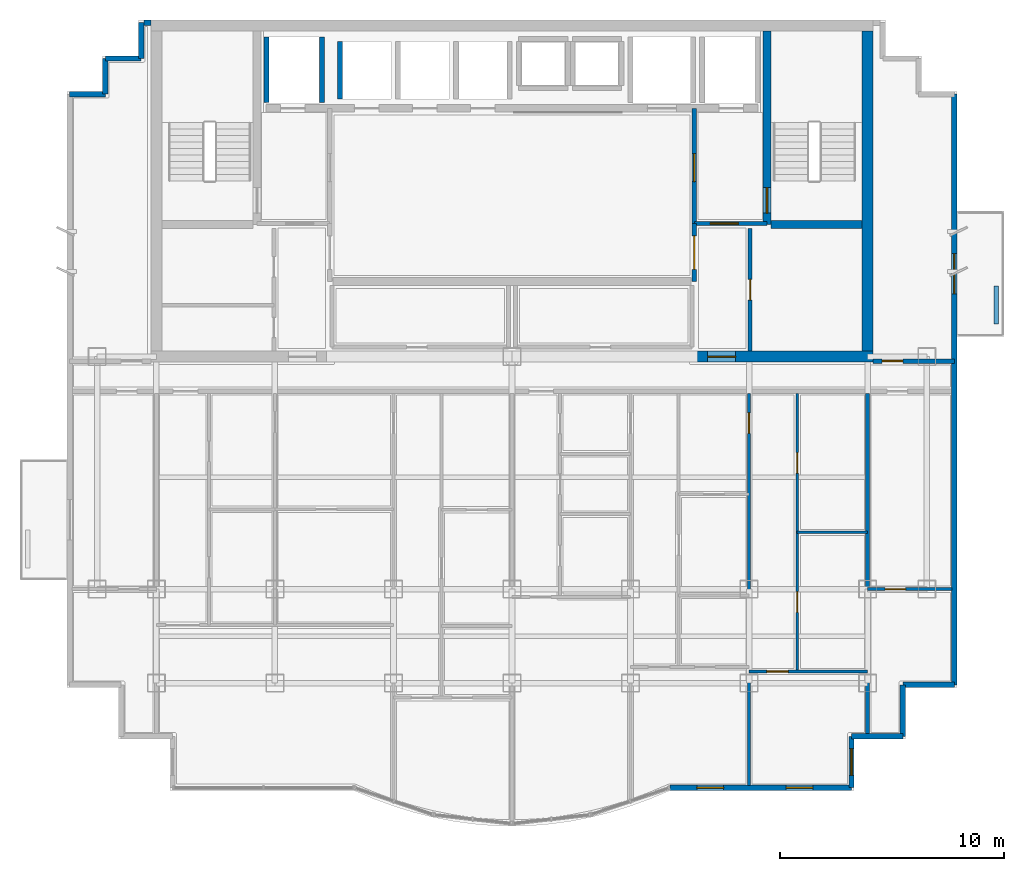
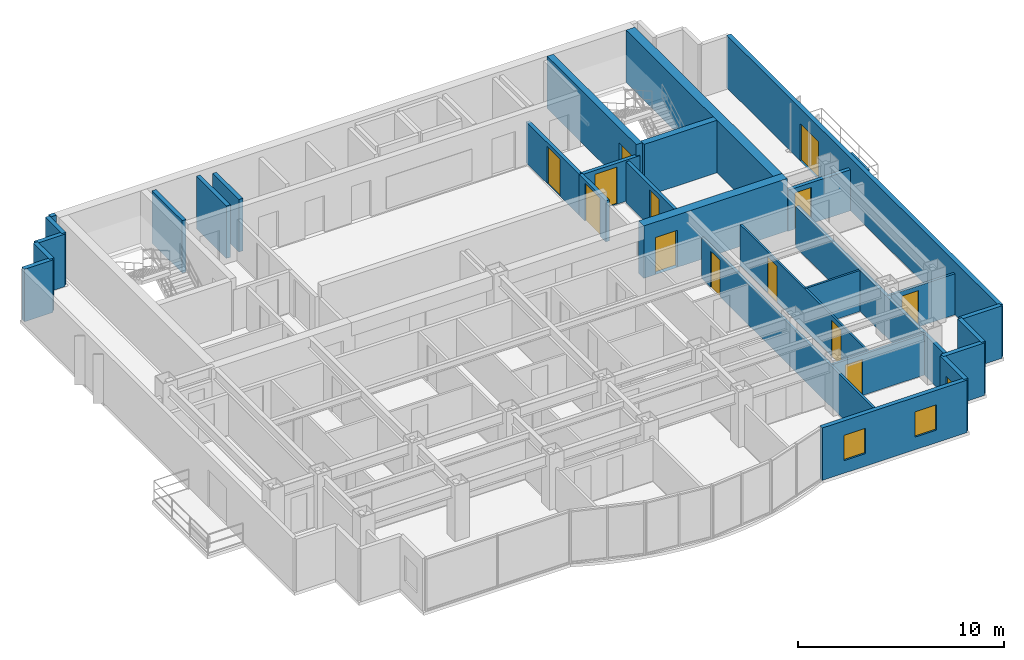
# One storey, part 6 of 9: 30 walls, 13 doors, 3 windows, 16 openings.
"""IFC4 building model written with IfcOpenShell, lengths in metres."""

from ifc_helpers import new_model, si_unit, direction, frame, frame_2d, origin, place, context, subcontext, project, spatial, rectangle, extrude, material, layer, layer_set, type_object, element, fill, save


model = new_model("IFC4")

# Units and contexts
model_context = context("Model", 3, precision=1e-05, world=origin(), true_north=direction((0.0, 1.0)))
body_context = subcontext(model_context, "Body", "Model", "MODEL_VIEW")
ifc_project = project(units=[si_unit("LENGTHUNIT", "METRE"), si_unit("AREAUNIT", "SQUARE_METRE"), si_unit("VOLUMEUNIT", "CUBIC_METRE"), si_unit("PLANEANGLEUNIT", "RADIAN"), si_unit("MASSUNIT", "GRAM", prefix="KILO")], contexts=[model_context])

# Site, building, storey
site_placement = place(None, origin())
site = spatial("IfcSite", under=ifc_project, at=site_placement, CompositionType="ELEMENT")
building_placement = place(site_placement, origin())
building = spatial("IfcBuilding", under=site, at=building_placement, Name="Qianlan Lanfeng Residences", CompositionType="ELEMENT")
storey_placement = place(building_placement, frame((0.0, 0.0, 209.89990234375)))
storey = spatial("IfcBuildingStorey", under=building, at=storey_placement, Name="L57", CompositionType="ELEMENT", Elevation=209.89990234375)

# Wall, opening, door
ifc_material_1 = material(Name="Concrete C49", Category="concrete")
ifc_layer_1 = layer(ifc_material_1, 0.35009765625)
ifc_layer_set_1 = layer_set([ifc_layer_1], Name="Concrete C49")
wall_type_1 = type_object("IfcWallType", Name="CW-RC-350", PredefinedType="SHEAR", material=ifc_layer_set_1)
wall_1_placement = place(storey_placement, frame((37.89990234375, 31.10009765625, 0.0), z_axis=(0.0, 0.0, 1.0), x_axis=(0.0, 1.0, 0.0)))
wall_1 = element("IfcWall", 1, at=wall_1_placement, inside=storey, type_object=wall_type_1, Name="L57 Core Shear Wall ST2W", PredefinedType="SHEAR", context=body_context, shape_type="SweptSolid", body=[
    extrude(rectangle(XDim=8.64990234375, YDim=0.35009765625, at=frame_2d((4.324951171875, 0.0))), origin(), (0.0, 0.0, 1.0), 3.110107421875),
])
opening_1_placement = place(wall_1_placement, frame((0.510009765625, 0.0, 0.0)))
opening_1 = element("IfcOpeningElement", 2, at=opening_1_placement, cuts=wall_1, Name="Opening L57-D08", PredefinedType="OPENING", context=body_context, shape_type="SweptSolid", body=[
    extrude(rectangle(XDim=1.14990234375, YDim=2.199951171875, at=frame_2d((0.574951171875, 1.10009765625))), frame((0.0, 0.18505859375, 0.0), z_axis=(0.0, -1.0, 0.0), x_axis=(1.0, 0.0, 0.0)), (0.0, 0.0, 1.0), 0.3701171875),
])
ifc_material_2 = material(Name="Painted Galvanised Steel Fire Door", Category="steel")
door_type_1 = type_object("IfcDoorType", Name="DT-ST1", OperationType="NOTDEFINED", PredefinedType="DOOR", material=ifc_material_2)
door_1_placement = place(opening_1_placement, origin())
door_1 = element("IfcDoor", 3, at=door_1_placement, inside=storey, type_object=door_type_1, Name="L57 Exit Stair ST-2 Door L57-D08 (DT-ST1)", OperationType="SINGLE_SWING_RIGHT", OverallHeight=2.199951171875, OverallWidth=1.14990234375, PredefinedType="DOOR", context=body_context, shape_type="SweptSolid", body=[
    extrude(rectangle(XDim=1.14990234375, YDim=2.199951171875, at=frame_2d((0.574951171875, 1.10009765625))), frame((0.0, 0.02490234375, 0.0), z_axis=(0.0, -1.0, 0.0), x_axis=(1.0, 0.0, 0.0)), (0.0, 0.0, 1.0), 0.050048828125),
])
fill(opening_1, door_1)

# Walls
wall_2_placement = place(storey_placement, frame((38.074951171875, 31.10009765625, 0.0), z_axis=(0.0, 0.0, 1.0), x_axis=(1.0, 0.0, 0.0)))
element("IfcWall", 4, at=wall_2_placement, inside=storey, type_object=wall_type_1, Name="L57 Core Shear Wall ST2S", PredefinedType="SHEAR", context=body_context, shape_type="SweptSolid", body=[
    extrude(rectangle(XDim=4.074951171875, YDim=0.35009765625, at=frame_2d((2.03759765625, 0.0))), origin(), (0.0, 0.0, 1.0), 3.110107421875),
])
ifc_material_3 = material(Name="Concrete C70", Category="concrete")
ifc_layer_2 = layer(ifc_material_3, 0.5)
ifc_layer_set_2 = layer_set([ifc_layer_2], Name="Concrete C70")
wall_type_2 = type_object("IfcWallType", Name="CW-RC-500", PredefinedType="SHEAR", material=ifc_layer_set_2)
wall_3_placement = place(storey_placement, frame((42.39990234375, 25.449951171875, 0.0), z_axis=(0.0, 0.0, 1.0), x_axis=(0.0, 1.0, 0.0)))
element("IfcWall", 5, at=wall_3_placement, inside=storey, type_object=wall_type_2, Name="L57 Core Shear Wall E", PredefinedType="SHEAR", context=body_context, shape_type="SweptSolid", body=[
    extrude(rectangle(XDim=14.300048828125, YDim=0.5, at=frame_2d((7.14990234375, 0.0))), origin(), (0.0, 0.0, 1.0), 3.110107421875),
])

# Wall, opening, door
wall_4_placement = place(storey_placement, frame((34.60009765625, 25.199951171875, 0.0), z_axis=(0.0, 0.0, 1.0), x_axis=(1.0, 0.0, 0.0)))
wall_4 = element("IfcWall", 6, at=wall_4_placement, inside=storey, type_object=wall_type_2, Name="L57 Core Shear Wall SE", PredefinedType="SHEAR", context=body_context, shape_type="SweptSolid", body=[
    extrude(rectangle(XDim=8.0498046875, YDim=0.5, at=frame_2d((4.02490234375, 0.0))), origin(), (0.0, 0.0, 1.0), 3.110107421875),
])
opening_2_placement = place(wall_4_placement, frame((0.64990234375, 0.0, 0.0)))
opening_2 = element("IfcOpeningElement", 7, at=opening_2_placement, cuts=wall_4, Name="Opening L57-D02", PredefinedType="OPENING", context=body_context, shape_type="SweptSolid", body=[
    extrude(rectangle(XDim=1.25, YDim=2.199951171875, at=frame_2d((0.625, 1.10009765625))), frame((0.0, 0.260009765625, 0.0), z_axis=(0.0, -1.0, 0.0), x_axis=(1.0, 0.0, 0.0)), (0.0, 0.0, 1.0), 0.52001953125),
])
door_type_2 = type_object("IfcDoorType", Name="DT-FFL", OperationType="NOTDEFINED", PredefinedType="DOOR", material=ifc_material_2)
door_2_placement = place(opening_2_placement, frame((1.25, 0.0, 0.0), z_axis=(0.0, 0.0, 1.0), x_axis=(-1.0, 0.0, 0.0)))
door_2 = element("IfcDoor", 8, at=door_2_placement, inside=storey, type_object=door_type_2, Name="L57 East Core Lobby Smoke Door L57-D02 (DT-FFL)", OperationType="SINGLE_SWING_LEFT", OverallHeight=2.199951171875, OverallWidth=1.25, PredefinedType="DOOR", context=body_context, shape_type="SweptSolid", body=[
    extrude(rectangle(XDim=1.25, YDim=2.199951171875, at=frame_2d((0.625, 1.10009765625))), frame((0.0, 0.02490234375, 0.0), z_axis=(0.0, -1.0, 0.0), x_axis=(1.0, 0.0, 0.0)), (0.0, 0.0, 1.0), 0.050048828125),
])
fill(opening_2, door_2)

# Wall, openings, windows
ifc_material_4 = material(Name="Concrete C42", Category="concrete")
ifc_layer_3 = layer(ifc_material_4, 0.239990234375)
ifc_layer_set_3 = layer_set([ifc_layer_3], Name="Concrete C42")
wall_type_3 = type_object("IfcWallType", Name="EW-240", PredefinedType="SOLIDWALL", material=ifc_layer_set_3)
wall_5_placement = place(storey_placement, frame((33.555908203125, 5.919921875, 0.0), z_axis=(0.0, 0.0, 1.0), x_axis=(1.0, 0.0, 0.0)))
wall_5 = element("IfcWall", 9, at=wall_5_placement, inside=storey, type_object=wall_type_3, Name="L57 Exterior Facade Spandrel Wall 5", PredefinedType="SOLIDWALL", context=body_context, shape_type="SweptSolid", body=[
    extrude(rectangle(XDim=8.1240234375, YDim=0.239990234375, at=frame_2d((4.06201171875, 0.0))), origin(), (0.0, 0.0, 1.0), 3.110107421875),
])
opening_3_placement = place(wall_5_placement, frame((5.197998046875, 0.0, 0.75)))
opening_3 = element("IfcOpeningElement", 10, at=opening_3_placement, cuts=wall_5, Name="Opening W-03", PredefinedType="OPENING", context=body_context, shape_type="SweptSolid", body=[
    extrude(rectangle(XDim=1.199951171875, YDim=1.5, at=frame_2d((0.60009765625, 0.75))), frame((0.0, 0.1298828125, 0.0), z_axis=(0.0, -1.0, 0.0), x_axis=(1.0, 0.0, 0.0)), (0.0, 0.0, 1.0), 0.260009765625),
])
opening_4_placement = place(wall_5_placement, frame((1.2080078125, 0.0, 0.75)))
opening_4 = element("IfcOpeningElement", 11, at=opening_4_placement, cuts=wall_5, Name="Opening W-03", PredefinedType="OPENING", context=body_context, shape_type="SweptSolid", body=[
    extrude(rectangle(XDim=1.199951171875, YDim=1.5, at=frame_2d((0.60009765625, 0.75))), frame((0.0, 0.1298828125, 0.0), z_axis=(0.0, -1.0, 0.0), x_axis=(1.0, 0.0, 0.0)), (0.0, 0.0, 1.0), 0.260009765625),
])
ifc_material_5 = material(Name="Anodised Bronze Aluminium Framed Double Glazing", Category="aluminium")
window_type = type_object("IfcWindowType", Name="W-03", PartitioningType="SINGLE_PANEL", PredefinedType="WINDOW", material=ifc_material_5)
window_1_placement = place(opening_3_placement, origin())
window_1 = element("IfcWindow", 12, at=window_1_placement, inside=storey, type_object=window_type, Name="L57 Facade Punched Window W-03", OverallHeight=1.5, OverallWidth=1.199951171875, PartitioningType="SINGLE_PANEL", PredefinedType="WINDOW", context=body_context, shape_type="SweptSolid", body=[
    extrude(rectangle(XDim=1.199951171875, YDim=1.5, at=frame_2d((0.60009765625, 0.75))), frame((0.0, 0.030029296875, 0.0), z_axis=(0.0, -1.0, 0.0), x_axis=(1.0, 0.0, 0.0)), (0.0, 0.0, 1.0), 0.06005859375),
])
fill(opening_3, window_1)
window_2_placement = place(opening_4_placement, origin())
window_2 = element("IfcWindow", 13, at=window_2_placement, inside=storey, type_object=window_type, Name="L57 Facade Bay Window W-03", OverallHeight=1.5, OverallWidth=1.199951171875, PartitioningType="SINGLE_PANEL", PredefinedType="WINDOW", context=body_context, shape_type="SweptSolid", body=[
    extrude(rectangle(XDim=1.199951171875, YDim=1.5, at=frame_2d((0.60009765625, 0.75))), frame((0.0, 0.030029296875, 0.0), z_axis=(0.0, -1.0, 0.0), x_axis=(1.0, 0.0, 0.0)), (0.0, 0.0, 1.0), 0.06005859375),
])
fill(opening_4, window_2)

# Wall, opening, window
wall_6_placement = place(storey_placement, frame((41.679931640625, 5.919921875, 0.0), z_axis=(0.0, 0.0, 1.0), x_axis=(0.0, 1.0, 0.0)))
wall_6 = element("IfcWall", 14, at=wall_6_placement, inside=storey, type_object=wall_type_3, Name="L57 Exterior Facade Spandrel Wall 6", PredefinedType="SOLIDWALL", context=body_context, shape_type="SweptSolid", body=[
    extrude(rectangle(XDim=2.300048828125, YDim=0.239990234375, at=frame_2d((1.14990234375, 0.0))), origin(), (0.0, 0.0, 1.0), 3.110107421875),
])
opening_5_placement = place(wall_6_placement, frame((0.550048828125, 0.0, 0.75)))
opening_5 = element("IfcOpeningElement", 15, at=opening_5_placement, cuts=wall_6, Name="Opening W-03", PredefinedType="OPENING", context=body_context, shape_type="SweptSolid", body=[
    extrude(rectangle(XDim=1.199951171875, YDim=1.5, at=frame_2d((0.60009765625, 0.75))), frame((0.0, 0.1298828125, 0.0), z_axis=(0.0, -1.0, 0.0), x_axis=(1.0, 0.0, 0.0)), (0.0, 0.0, 1.0), 0.260009765625),
])
window_3_placement = place(opening_5_placement, origin())
window_3 = element("IfcWindow", 16, at=window_3_placement, inside=storey, type_object=window_type, Name="L57 Facade Punched Window W-03", OverallHeight=1.5, OverallWidth=1.199951171875, PartitioningType="SINGLE_PANEL", PredefinedType="WINDOW", context=body_context, shape_type="SweptSolid", body=[
    extrude(rectangle(XDim=1.199951171875, YDim=1.5, at=frame_2d((0.60009765625, 0.75))), frame((0.0, 0.030029296875, 0.0), z_axis=(0.0, -1.0, 0.0), x_axis=(1.0, 0.0, 0.0)), (0.0, 0.0, 1.0), 0.06005859375),
])
fill(opening_5, window_3)

# Walls
for number, where, z_axis, x_axis, name in (
    (17, (41.679931640625, 8.219970703125, 0.0), (0.0, 0.0, 1.0), (1.0, 0.0, 0.0), "L57 Exterior Facade Spandrel Wall 7"),
    (18, (43.97998046875, 8.219970703125, 0.0), (0.0, 0.0, 1.0), (0.0, 1.0, 0.0), "L57 Exterior Facade Spandrel Wall 8"),
    (19, (43.97998046875, 10.52001953125, 0.0), (0.0, 0.0, 1.0), (1.0, 0.0, 0.0), "L57 Exterior Facade Spandrel Wall 9"),
):
    element("IfcWall", number, at=place(storey_placement, frame(where, z_axis=z_axis, x_axis=x_axis)), inside=storey, type_object=wall_type_3, Name=name, PredefinedType="SOLIDWALL", context=body_context, shape_type="SweptSolid", body=[
        extrude(rectangle(XDim=2.300048828125, YDim=0.239990234375, at=frame_2d((1.14990234375, 0.0))), origin(), (0.0, 0.0, 1.0), 3.110107421875),
    ])

# Wall, opening, door
wall_7_placement = place(storey_placement, frame((46.280029296875, 10.52001953125, 0.0), z_axis=(0.0, 0.0, 1.0), x_axis=(0.0, 1.0, 0.0)))
wall_7 = element("IfcWall", 20, at=wall_7_placement, inside=storey, type_object=wall_type_3, Name="L57 Terrace/Balcony Access Exterior Wall 10", PredefinedType="SOLIDWALL", context=body_context, shape_type="SweptSolid", body=[
    extrude(rectangle(XDim=26.409912109375, YDim=0.239990234375, at=frame_2d((13.205078125, 0.0))), origin(), (0.0, 0.0, 1.0), 3.110107421875),
])
opening_6_placement = place(wall_7_placement, frame((17.47998046875, 0.0, 0.0)))
opening_6 = element("IfcOpeningElement", 21, at=opening_6_placement, cuts=wall_7, Name="Opening L57-D-EB-N", PredefinedType="OPENING", context=body_context, shape_type="SweptSolid", body=[
    extrude(rectangle(XDim=1.800048828125, YDim=2.199951171875, at=frame_2d((0.89990234375, 1.10009765625))), frame((0.0, 0.1298828125, 0.0), z_axis=(0.0, -1.0, 0.0), x_axis=(1.0, 0.0, 0.0)), (0.0, 0.0, 1.0), 0.260009765625),
])
ifc_material_6 = material(Name="Anodised Bronze Aluminium Framed Glass", Category="aluminium")
door_type_3 = type_object("IfcDoorType", Name="DT-BAL1", OperationType="NOTDEFINED", PredefinedType="DOOR", material=ifc_material_6)
door_3_placement = place(opening_6_placement, frame((1.800048828125, 0.0, 0.0), z_axis=(0.0, 0.0, 1.0), x_axis=(-1.0, 0.0, 0.0)))
door_3 = element("IfcDoor", 22, at=door_3_placement, inside=storey, type_object=door_type_3, Name="L57 Exterior Access Door EB-N", OperationType="DOUBLE_DOOR_SLIDING", OverallHeight=2.199951171875, OverallWidth=1.800048828125, PredefinedType="DOOR", context=body_context, shape_type="SweptSolid", body=[
    extrude(rectangle(XDim=1.800048828125, YDim=2.199951171875, at=frame_2d((0.89990234375, 1.10009765625))), frame((0.0, 0.02490234375, 0.0), z_axis=(0.0, -1.0, 0.0), x_axis=(1.0, 0.0, 0.0)), (0.0, 0.0, 1.0), 0.050048828125),
])
fill(opening_6, door_3)

# Walls
wall_8_placement = place(storey_placement, frame((10.35009765625, 40.1298828125, 0.0), z_axis=(0.0, 0.0, 1.0), x_axis=(-1.0, 0.0, 0.0)))
element("IfcWall", 23, at=wall_8_placement, inside=storey, type_object=wall_type_3, Name="L57 North Wing Exterior Wall W", PredefinedType="SOLIDWALL", context=body_context, shape_type="SweptSolid", body=[
    extrude(rectangle(XDim=0.300048828125, YDim=0.239990234375, at=frame_2d((0.14990234375, 0.0))), origin(), (0.0, 0.0, 1.0), 3.110107421875),
])
for number, where, z_axis, x_axis, name in (
    (24, (9.919921875, 40.1298828125, 0.0), (0.0, 0.0, 1.0), (0.0, -1.0, 0.0), "L57 Exterior Facade Spandrel Wall 17"),
    (25, (9.919921875, 38.530029296875, 0.0), (0.0, 0.0, 1.0), (-1.0, 0.0, 0.0), "L57 Exterior Facade Spandrel Wall 18"),
):
    element("IfcWall", number, at=place(storey_placement, frame(where, z_axis=z_axis, x_axis=x_axis)), inside=storey, type_object=wall_type_3, Name=name, PredefinedType="SOLIDWALL", context=body_context, shape_type="SweptSolid", body=[
        extrude(rectangle(XDim=1.599853515625, YDim=0.239990234375, at=frame_2d((0.7998046875, 0.0))), origin(), (0.0, 0.0, 1.0), 3.110107421875),
    ])
for number, where, z_axis, x_axis, name in (
    (26, (8.320068359375, 38.530029296875, 0.0), (0.0, 0.0, 1.0), (0.0, -1.0, 0.0), "L57 Exterior Facade Spandrel Wall 19"),
    (27, (8.320068359375, 36.929931640625, 0.0), (0.0, 0.0, 1.0), (-1.0, 0.0, 0.0), "L57 Exterior Facade Spandrel Wall 20"),
):
    element("IfcWall", number, at=place(storey_placement, frame(where, z_axis=z_axis, x_axis=x_axis)), inside=storey, type_object=wall_type_3, Name=name, PredefinedType="SOLIDWALL", context=body_context, shape_type="SweptSolid", body=[
        extrude(rectangle(XDim=1.60009765625, YDim=0.239990234375, at=frame_2d((0.800048828125, 0.0))), origin(), (0.0, 0.0, 1.0), 3.110107421875),
    ])
ifc_layer_4 = layer(ifc_material_4, 0.199951171875)
ifc_layer_set_4 = layer_set([ifc_layer_4], Name="Concrete C42")
wall_type_4 = type_object("IfcWallType", Name="PL-TREE-200", PredefinedType="PARAPET", material=ifc_layer_set_4)
wall_9_placement = place(storey_placement, frame((48.14990234375, 26.64990234375, 0.0), z_axis=(0.0, 0.0, 1.0), x_axis=(0.0, 1.0, 0.0)))
element("IfcWall", 28, at=wall_9_placement, inside=storey, type_object=wall_type_4, Name="L57 East Tree Planter Curb EB-N", PredefinedType="PARAPET", context=body_context, shape_type="SweptSolid", body=[
    extrude(rectangle(XDim=1.7001953125, YDim=0.199951171875, at=frame_2d((0.85009765625, 0.0))), origin(), (0.0, 0.0, 1.0), 0.650146484375),
])

# Wall, openings, doors
ifc_material_7 = material(Name="Demountable Acoustic Framing Partition 110 mm")
ifc_layer_5 = layer(ifc_material_7, 0.110107421875)
ifc_layer_set_5 = layer_set([ifc_layer_5], Name="Demountable Acoustic Framing Partition 110 mm")
wall_type_5 = type_object("IfcWallType", Name="PW-110", PredefinedType="MOVABLE", material=ifc_layer_set_5)
wall_10_placement = place(storey_placement, frame((39.25, 11.1201171875, 0.0), z_axis=(0.0, 0.0, 1.0), x_axis=(0.0, 1.0, 0.0)))
wall_10 = element("IfcWall", 29, at=wall_10_placement, inside=storey, type_object=wall_type_5, Name="L57 U02 Bedroom 2 Hall Wall", PredefinedType="MOVABLE", context=body_context, shape_type="SweptSolid", body=[
    extrude(rectangle(XDim=12.429931640625, YDim=0.110107421875, at=frame_2d((6.21484375, 0.0))), origin(), (0.0, 0.0, 1.0), 2.43017578125),
])
opening_7_placement = place(wall_10_placement, frame((2.64697265625, 0.0, 0.0)))
opening_7 = element("IfcOpeningElement", 30, at=opening_7_placement, cuts=wall_10, Name="Opening L57-D39", PredefinedType="OPENING", context=body_context, shape_type="SweptSolid", body=[
    extrude(rectangle(XDim=0.919921875, YDim=2.14990234375, at=frame_2d((0.4599609375, 1.074951171875))), frame((0.0, 0.06494140625, 0.0), z_axis=(0.0, -1.0, 0.0), x_axis=(1.0, 0.0, 0.0)), (0.0, 0.0, 1.0), 0.130126953125),
])
opening_8_placement = place(wall_10_placement, frame((8.863037109375, 0.0, 0.0)))
opening_8 = element("IfcOpeningElement", 31, at=opening_8_placement, cuts=wall_10, Name="Opening L57-D40", PredefinedType="OPENING", context=body_context, shape_type="SweptSolid", body=[
    extrude(rectangle(XDim=0.919921875, YDim=2.14990234375, at=frame_2d((0.4599609375, 1.074951171875))), frame((0.0, 0.06494140625, 0.0), z_axis=(0.0, -1.0, 0.0), x_axis=(1.0, 0.0, 0.0)), (0.0, 0.0, 1.0), 0.130126953125),
])
ifc_material_8 = material(Name="Glazed Timber Kitchen/Study Door", Category="wood")
door_type_4 = type_object("IfcDoorType", Name="DT-INT", OperationType="NOTDEFINED", PredefinedType="DOOR", material=ifc_material_8)
door_4_placement = place(opening_7_placement, origin())
door_4 = element("IfcDoor", 32, at=door_4_placement, inside=storey, type_object=door_type_4, Name="L57 U02 Utility Door L57-D39 (DT-INT)", OperationType="SINGLE_SWING_LEFT", OverallHeight=2.14990234375, OverallWidth=0.919921875, PredefinedType="DOOR", context=body_context, shape_type="SweptSolid", body=[
    extrude(rectangle(XDim=0.919921875, YDim=2.14990234375, at=frame_2d((0.4599609375, 1.074951171875))), frame((0.0, 0.02490234375, 0.0), z_axis=(0.0, -1.0, 0.0), x_axis=(1.0, 0.0, 0.0)), (0.0, 0.0, 1.0), 0.050048828125),
])
fill(opening_7, door_4)
door_5_placement = place(opening_8_placement, origin())
door_5 = element("IfcDoor", 33, at=door_5_placement, inside=storey, type_object=door_type_4, Name="L57 U02 Specialty Door L57-D40 (DT-INT)", OperationType="SINGLE_SWING_RIGHT", OverallHeight=2.14990234375, OverallWidth=0.919921875, PredefinedType="DOOR", context=body_context, shape_type="SweptSolid", body=[
    extrude(rectangle(XDim=0.919921875, YDim=2.14990234375, at=frame_2d((0.4599609375, 1.074951171875))), frame((0.0, 0.02490234375, 0.0), z_axis=(0.0, -1.0, 0.0), x_axis=(1.0, 0.0, 0.0)), (0.0, 0.0, 1.0), 0.050048828125),
])
fill(opening_8, door_5)

# Wall
wall_11_placement = place(storey_placement, frame((39.25, 17.3349609375, 0.0), z_axis=(0.0, 0.0, 1.0), x_axis=(1.0, 0.0, 0.0)))
element("IfcWall", 34, at=wall_11_placement, inside=storey, type_object=wall_type_5, Name="L57 U02 Specialty Split Wall", PredefinedType="MOVABLE", context=body_context, shape_type="SweptSolid", body=[
    extrude(rectangle(XDim=3.14990234375, YDim=0.110107421875, at=frame_2d((1.574951171875, 0.0))), origin(), (0.0, 0.0, 1.0), 2.43017578125),
])

# Wall, opening, door
ifc_material_9 = material(Name="Moisture-Resistant Gypsum Partition 135 mm")
ifc_layer_6 = layer(ifc_material_9, 0.135009765625)
ifc_layer_set_6 = layer_set([ifc_layer_6], Name="Moisture-Resistant Gypsum Partition 135 mm")
wall_type_6 = type_object("IfcWallType", Name="PW-135", PredefinedType="PARTITIONING", material=ifc_layer_set_6)
wall_12_placement = place(storey_placement, frame((37.10009765625, 6.02001953125, 0.0), z_axis=(0.0, 0.0, 1.0), x_axis=(0.0, 1.0, 0.0)))
wall_12 = element("IfcWall", 35, at=wall_12_placement, inside=storey, type_object=wall_type_6, Name="L57 U02 Bay Spine Wall 2", PredefinedType="PARTITIONING", context=body_context, shape_type="SweptSolid", body=[
    extrude(rectangle(XDim=17.530029296875, YDim=0.135009765625, at=frame_2d((8.76513671875, 0.0))), origin(), (0.0, 0.0, 1.0), 2.43017578125),
])
opening_9_placement = place(wall_12_placement, frame((15.7451171875, 0.0, 0.0)))
opening_9 = element("IfcOpeningElement", 36, at=opening_9_placement, cuts=wall_12, Name="Opening L57-D29", PredefinedType="OPENING", context=body_context, shape_type="SweptSolid", body=[
    extrude(rectangle(XDim=0.919921875, YDim=2.14990234375, at=frame_2d((0.4599609375, 1.074951171875))), frame((0.0, 0.07763671875, 0.0), z_axis=(0.0, -1.0, 0.0), x_axis=(1.0, 0.0, 0.0)), (0.0, 0.0, 1.0), 0.155029296875),
])
door_6_placement = place(opening_9_placement, origin())
door_6 = element("IfcDoor", 37, at=door_6_placement, inside=storey, type_object=door_type_4, Name="L57 U02 Internal Hall Door L57-D29 (DT-INT)", OperationType="SINGLE_SWING_LEFT", OverallHeight=2.14990234375, OverallWidth=0.919921875, PredefinedType="DOOR", context=body_context, shape_type="SweptSolid", body=[
    extrude(rectangle(XDim=0.919921875, YDim=2.14990234375, at=frame_2d((0.4599609375, 1.074951171875))), frame((0.0, 0.02490234375, 0.0), z_axis=(0.0, -1.0, 0.0), x_axis=(1.0, 0.0, 0.0)), (0.0, 0.0, 1.0), 0.050048828125),
])
fill(opening_9, door_6)

wall_13_placement = place(storey_placement, frame((37.10009765625, 11.1201171875, 0.0), z_axis=(0.0, 0.0, 1.0), x_axis=(1.0, 0.0, 0.0)))
wall_13 = element("IfcWall", 38, at=wall_13_placement, inside=storey, type_object=wall_type_6, Name="L57 U02 Bedroom 2 North Wall", PredefinedType="PARTITIONING", context=body_context, shape_type="SweptSolid", body=[
    extrude(rectangle(XDim=5.2998046875, YDim=0.135009765625, at=frame_2d((2.64990234375, 0.0))), origin(), (0.0, 0.0, 1.0), 2.43017578125),
])
opening_10_placement = place(wall_13_placement, frame((0.800048828125, 0.0, 0.0)))
opening_10 = element("IfcOpeningElement", 39, at=opening_10_placement, cuts=wall_13, Name="Opening L57-D38", PredefinedType="OPENING", context=body_context, shape_type="SweptSolid", body=[
    extrude(rectangle(XDim=0.949951171875, YDim=2.14990234375, at=frame_2d((0.47509765625, 1.074951171875))), frame((0.0, 0.07763671875, 0.0), z_axis=(0.0, -1.0, 0.0), x_axis=(1.0, 0.0, 0.0)), (0.0, 0.0, 1.0), 0.155029296875),
])
ifc_material_10 = material(Name="Painted Solid-Core Timber Leaf", Category="wood")
door_type_5 = type_object("IfcDoorType", Name="DT-BED", OperationType="NOTDEFINED", PredefinedType="DOOR", material=ifc_material_10)
door_7_placement = place(opening_10_placement, origin())
door_7 = element("IfcDoor", 40, at=door_7_placement, inside=storey, type_object=door_type_5, Name="L57 U02 Bedroom 2 Door L57-D38 (DT-BED)", OperationType="SINGLE_SWING_LEFT", OverallHeight=2.14990234375, OverallWidth=0.949951171875, PredefinedType="DOOR", context=body_context, shape_type="SweptSolid", body=[
    extrude(rectangle(XDim=0.949951171875, YDim=2.14990234375, at=frame_2d((0.47509765625, 1.074951171875))), frame((0.0, 0.02490234375, 0.0), z_axis=(0.0, -1.0, 0.0), x_axis=(1.0, 0.0, 0.0)), (0.0, 0.0, 1.0), 0.050048828125),
])
fill(opening_10, door_7)

wall_14_placement = place(storey_placement, frame((42.39990234375, 14.800048828125, 0.0), z_axis=(0.0, 0.0, 1.0), x_axis=(1.0, 0.0, 0.0)))
wall_14 = element("IfcWall", 41, at=wall_14_placement, inside=storey, type_object=wall_type_6, Name="L57 SEP Mid Partition", PredefinedType="PARTITIONING", context=body_context, shape_type="SweptSolid", body=[
    extrude(rectangle(XDim=3.780029296875, YDim=0.135009765625, at=frame_2d((1.89013671875, 0.0))), origin(), (0.0, 0.0, 1.0), 2.43017578125),
])
opening_11_placement = place(wall_14_placement, frame((0.780029296875, 0.0, 0.0)))
opening_11 = element("IfcOpeningElement", 42, at=opening_11_placement, cuts=wall_14, Name="Opening L57-D43", PredefinedType="OPENING", context=body_context, shape_type="SweptSolid", body=[
    extrude(rectangle(XDim=0.919921875, YDim=2.14990234375, at=frame_2d((0.4599609375, 1.074951171875))), frame((0.0, 0.07763671875, 0.0), z_axis=(0.0, -1.0, 0.0), x_axis=(1.0, 0.0, 0.0)), (0.0, 0.0, 1.0), 0.155029296875),
])
door_8_placement = place(opening_11_placement, origin())
door_8 = element("IfcDoor", 43, at=door_8_placement, inside=storey, type_object=door_type_4, Name="L57 SEP Inner Door L57-D43 (DT-INT)", OperationType="SINGLE_SWING_RIGHT", OverallHeight=2.14990234375, OverallWidth=0.919921875, PredefinedType="DOOR", context=body_context, shape_type="SweptSolid", body=[
    extrude(rectangle(XDim=0.919921875, YDim=2.14990234375, at=frame_2d((0.4599609375, 1.074951171875))), frame((0.0, 0.02490234375, 0.0), z_axis=(0.0, -1.0, 0.0), x_axis=(1.0, 0.0, 0.0)), (0.0, 0.0, 1.0), 0.050048828125),
])
fill(opening_11, door_8)

ifc_material_11 = material(Name="Double-Layer Acoustic Gypsum Stud Wall 180 mm")
ifc_layer_7 = layer(ifc_material_11, 0.179931640625)
ifc_layer_set_7 = layer_set([ifc_layer_7], Name="Double-Layer Acoustic Gypsum Stud Wall 180 mm")
wall_type_7 = type_object("IfcWallType", Name="PW-180", PredefinedType="PARTITIONING", material=ifc_layer_set_7)
wall_15_placement = place(storey_placement, frame((37.14990234375, 25.449951171875, 0.0), z_axis=(0.0, 0.0, 1.0), x_axis=(0.0, 1.0, 0.0)))
wall_15 = element("IfcWall", 44, at=wall_15_placement, inside=storey, type_object=wall_type_7, Name="L57 Core East Service Room Wall", PredefinedType="PARTITIONING", context=body_context, shape_type="SweptSolid", body=[
    extrude(rectangle(XDim=5.47509765625, YDim=0.179931640625, at=frame_2d((2.737548828125, 0.0))), origin(), (0.0, 0.0, 1.0), 2.43017578125),
])
opening_12_placement = place(wall_15_placement, frame((2.277099609375, 0.0, 0.0)))
opening_12 = element("IfcOpeningElement", 45, at=opening_12_placement, cuts=wall_15, Name="Opening L57-D11", PredefinedType="OPENING", context=body_context, shape_type="SweptSolid", body=[
    extrude(rectangle(XDim=0.919921875, YDim=2.14990234375, at=frame_2d((0.4599609375, 1.074951171875))), frame((0.0, 0.10009765625, 0.0), z_axis=(0.0, -1.0, 0.0), x_axis=(1.0, 0.0, 0.0)), (0.0, 0.0, 1.0), 0.199951171875),
])
door_9_placement = place(opening_12_placement, origin())
door_9 = element("IfcDoor", 46, at=door_9_placement, inside=storey, type_object=door_type_4, Name="L57 Mail Parcel Closet Door L57-D11 (DT-INT)", OperationType="SINGLE_SWING_LEFT", OverallHeight=2.14990234375, OverallWidth=0.919921875, PredefinedType="DOOR", context=body_context, shape_type="SweptSolid", body=[
    extrude(rectangle(XDim=0.919921875, YDim=2.14990234375, at=frame_2d((0.4599609375, 1.074951171875))), frame((0.0, 0.02490234375, 0.0), z_axis=(0.0, -1.0, 0.0), x_axis=(1.0, 0.0, 0.0)), (0.0, 0.0, 1.0), 0.050048828125),
])
fill(opening_12, door_9)

# Wall
wall_16_placement = place(storey_placement, frame((42.39990234375, 8.320068359375, 0.0), z_axis=(0.0, 0.0, 1.0), x_axis=(0.0, 1.0, 0.0)))
element("IfcWall", 47, at=wall_16_placement, inside=storey, type_object=wall_type_7, Name="L57 Wing Boundary Party Wall E0", PredefinedType="PARTITIONING", context=body_context, shape_type="SweptSolid", body=[
    extrude(rectangle(XDim=15.22998046875, YDim=0.179931640625, at=frame_2d((7.614990234375, 0.0))), origin(), (0.0, 0.0, 1.0), 2.43017578125),
])

# Wall, opening, door
ifc_material_12 = material(Name="Autoclaved Aerated Concrete Blockwork 200 mm", Category="masonry")
ifc_layer_8 = layer(ifc_material_12, 0.199951171875)
ifc_layer_set_8 = layer_set([ifc_layer_8], Name="Autoclaved Aerated Concrete Blockwork 200 mm")
wall_type_8 = type_object("IfcWallType", Name="PW-200", PredefinedType="PARTITIONING", material=ifc_layer_set_8)
wall_17_placement = place(storey_placement, frame((34.64990234375, 31.14990234375, 0.0), z_axis=(0.0, 0.0, 1.0), x_axis=(1.0, 0.0, 0.0)))
wall_17 = element("IfcWall", 48, at=wall_17_placement, inside=storey, type_object=wall_type_8, Name="L57 Firefighting Lobby 2 South Wall", PredefinedType="PARTITIONING", context=body_context, shape_type="SweptSolid", body=[
    extrude(rectangle(XDim=3.25, YDim=0.199951171875, at=frame_2d((1.625, 0.0))), origin(), (0.0, 0.0, 1.0), 2.43017578125),
])
opening_13_placement = place(wall_17_placement, frame((0.72509765625, 0.0, 0.0)))
opening_13 = element("IfcOpeningElement", 49, at=opening_13_placement, cuts=wall_17, Name="Opening L57-D05", PredefinedType="OPENING", context=body_context, shape_type="SweptSolid", body=[
    extrude(rectangle(XDim=1.25, YDim=2.199951171875, at=frame_2d((0.625, 1.10009765625))), frame((0.0, 0.10986328125, 0.0), z_axis=(0.0, -1.0, 0.0), x_axis=(1.0, 0.0, 0.0)), (0.0, 0.0, 1.0), 0.219970703125),
])
door_10_placement = place(opening_13_placement, origin())
door_10 = element("IfcDoor", 50, at=door_10_placement, inside=storey, type_object=door_type_2, Name="L57 Firefighting Lobby 2 Entry Door L57-D05 (DT-FFL)", OperationType="SINGLE_SWING_RIGHT", OverallHeight=2.199951171875, OverallWidth=1.25, PredefinedType="DOOR", context=body_context, shape_type="SweptSolid", body=[
    extrude(rectangle(XDim=1.25, YDim=2.199951171875, at=frame_2d((0.625, 1.10009765625))), frame((0.0, 0.02490234375, 0.0), z_axis=(0.0, -1.0, 0.0), x_axis=(1.0, 0.0, 0.0)), (0.0, 0.0, 1.0), 0.050048828125),
])
fill(opening_13, door_10)

wall_18_placement = place(storey_placement, frame((34.64990234375, 31.14990234375, 0.0), z_axis=(0.0, 0.0, 1.0), x_axis=(0.0, 1.0, 0.0)))
wall_18 = element("IfcWall", 51, at=wall_18_placement, inside=storey, type_object=wall_type_8, Name="L57 Firefighting Lobby 2 West Wall", PredefinedType="PARTITIONING", context=body_context, shape_type="SweptSolid", body=[
    extrude(rectangle(XDim=5.150146484375, YDim=0.199951171875, at=frame_2d((2.5751953125, 0.0))), origin(), (0.0, 0.0, 1.0), 2.43017578125),
])
opening_14_placement = place(wall_18_placement, frame((1.875, 0.0, 0.0)))
opening_14 = element("IfcOpeningElement", 52, at=opening_14_placement, cuts=wall_18, Name="Opening L57-D06", PredefinedType="OPENING", context=body_context, shape_type="SweptSolid", body=[
    extrude(rectangle(XDim=1.25, YDim=2.199951171875, at=frame_2d((0.625, 1.10009765625))), frame((0.0, 0.10986328125, 0.0), z_axis=(0.0, -1.0, 0.0), x_axis=(1.0, 0.0, 0.0)), (0.0, 0.0, 1.0), 0.219970703125),
])
door_11_placement = place(opening_14_placement, origin())
door_11 = element("IfcDoor", 53, at=door_11_placement, inside=storey, type_object=door_type_2, Name="L57 Firefighting Lobby 2 Lift Lobby Door L57-D06 (DT-FFL)", OperationType="SINGLE_SWING_RIGHT", OverallHeight=2.199951171875, OverallWidth=1.25, PredefinedType="DOOR", context=body_context, shape_type="SweptSolid", body=[
    extrude(rectangle(XDim=1.25, YDim=2.199951171875, at=frame_2d((0.625, 1.10009765625))), frame((0.0, 0.02490234375, 0.0), z_axis=(0.0, -1.0, 0.0), x_axis=(1.0, 0.0, 0.0)), (0.0, 0.0, 1.0), 0.050048828125),
])
fill(opening_14, door_11)

wall_19_placement = place(storey_placement, frame((34.64990234375, 28.550048828125, 0.0), z_axis=(0.0, 0.0, 1.0), x_axis=(0.0, 1.0, 0.0)))
wall_19 = element("IfcWall", 54, at=wall_19_placement, inside=storey, type_object=wall_type_8, Name="L57 Lift Lobby East Connector Wall", PredefinedType="PARTITIONING", context=body_context, shape_type="SweptSolid", body=[
    extrude(rectangle(XDim=2.599853515625, YDim=0.199951171875, at=frame_2d((1.2998046875, 0.0))), origin(), (0.0, 0.0, 1.0), 2.43017578125),
])
opening_15_placement = place(wall_19_placement, frame((0.550048828125, 0.0, 0.0)))
opening_15 = element("IfcOpeningElement", 55, at=opening_15_placement, cuts=wall_19, Name="Opening L57-D13", PredefinedType="OPENING", context=body_context, shape_type="SweptSolid", body=[
    extrude(rectangle(XDim=1.5, YDim=2.25, at=frame_2d((0.75, 1.125))), frame((0.0, 0.10986328125, 0.0), z_axis=(0.0, -1.0, 0.0), x_axis=(1.0, 0.0, 0.0)), (0.0, 0.0, 1.0), 0.219970703125),
])
ifc_material_13 = material(Name="Timber Veneer Acoustic Fire Door", Category="wood")
door_type_6 = type_object("IfcDoorType", Name="DT-COR1", OperationType="NOTDEFINED", PredefinedType="DOOR", material=ifc_material_13)
door_12_placement = place(opening_15_placement, frame((1.5, 0.0, 0.0), z_axis=(0.0, 0.0, 1.0), x_axis=(-1.0, 0.0, 0.0)))
door_12 = element("IfcDoor", 56, at=door_12_placement, inside=storey, type_object=door_type_6, Name="L57 Lift Lobby East Portal Door L57-D13 (DT-COR1)", OperationType="DOUBLE_DOOR_SINGLE_SWING", OverallHeight=2.25, OverallWidth=1.5, PredefinedType="DOOR", context=body_context, shape_type="SweptSolid", body=[
    extrude(rectangle(XDim=1.5, YDim=2.25, at=frame_2d((0.75, 1.125))), frame((0.0, 0.02490234375, 0.0), z_axis=(0.0, -1.0, 0.0), x_axis=(1.0, 0.0, 0.0)), (0.0, 0.0, 1.0), 0.050048828125),
])
fill(opening_15, door_12)

wall_20_placement = place(storey_placement, frame((42.64990234375, 25.0, 0.0), z_axis=(0.0, 0.0, 1.0), x_axis=(1.0, 0.0, 0.0)))
wall_20 = element("IfcWall", 57, at=wall_20_placement, inside=storey, type_object=wall_type_8, Name="L57 Corridor NE Wall", PredefinedType="PARTITIONING", context=body_context, shape_type="SweptSolid", body=[
    extrude(rectangle(XDim=3.630126953125, YDim=0.199951171875, at=frame_2d((1.81494140625, 0.0))), origin(), (0.0, 0.0, 1.0), 2.43017578125),
])
opening_16_placement = place(wall_20_placement, frame((0.405029296875, 0.0, 0.0)))
opening_16 = element("IfcOpeningElement", 58, at=opening_16_placement, cuts=wall_20, Name="Opening L57-D46", PredefinedType="OPENING", context=body_context, shape_type="SweptSolid", body=[
    extrude(rectangle(XDim=0.919921875, YDim=2.14990234375, at=frame_2d((0.4599609375, 1.074951171875))), frame((0.0, 0.10986328125, 0.0), z_axis=(0.0, -1.0, 0.0), x_axis=(1.0, 0.0, 0.0)), (0.0, 0.0, 1.0), 0.219970703125),
])
door_13_placement = place(opening_16_placement, frame((0.919921875, 0.0, 0.0), z_axis=(0.0, 0.0, 1.0), x_axis=(-1.0, 0.0, 0.0)))
door_13 = element("IfcDoor", 59, at=door_13_placement, inside=storey, type_object=door_type_4, Name="L57 EW Amenity Salon Door L57-D46 (DT-INT)", OperationType="SINGLE_SWING_RIGHT", OverallHeight=2.14990234375, OverallWidth=0.919921875, PredefinedType="DOOR", context=body_context, shape_type="SweptSolid", body=[
    extrude(rectangle(XDim=0.919921875, YDim=2.14990234375, at=frame_2d((0.4599609375, 1.074951171875))), frame((0.0, 0.02490234375, 0.0), z_axis=(0.0, -1.0, 0.0), x_axis=(1.0, 0.0, 0.0)), (0.0, 0.0, 1.0), 0.050048828125),
])
fill(opening_16, door_13)

# Walls
ifc_layer_9 = layer(ifc_material_1, 0.219970703125)
ifc_layer_set_9 = layer_set([ifc_layer_9], Name="Concrete C49")
wall_type_9 = type_object("IfcWallType", Name="SHW-220", PredefinedType="SOLIDWALL", material=ifc_layer_set_9)
for number, where, z_axis, x_axis, name in (
    (60, (15.52001953125, 36.550048828125, 0.0), (0.0, 0.0, 1.0), (0.0, 1.0, 0.0), "L57 Lift FFL-1 Shaft Wall W"),
    (61, (18.0, 36.550048828125, 0.0), (0.0, 0.0, 1.0), (0.0, 1.0, 0.0), "L57 Lift FFL-1 Shaft Wall E"),
):
    element("IfcWall", number, at=place(storey_placement, frame(where, z_axis=z_axis, x_axis=x_axis)), inside=storey, type_object=wall_type_9, Name=name, PredefinedType="SOLIDWALL", context=body_context, shape_type="SweptSolid", body=[
        extrude(rectangle(XDim=2.929931640625, YDim=0.219970703125, at=frame_2d((1.46484375, 0.0))), origin(), (0.0, 0.0, 1.0), 3.110107421875),
    ])
wall_21_placement = place(storey_placement, frame((18.800048828125, 36.719970703125, 0.0), z_axis=(0.0, 0.0, 1.0), x_axis=(0.0, 1.0, 0.0)))
element("IfcWall", 62, at=wall_21_placement, inside=storey, type_object=wall_type_9, Name="L57 Lift PL-H1 Shaft Wall W", PredefinedType="SOLIDWALL", context=body_context, shape_type="SweptSolid", body=[
    extrude(rectangle(XDim=2.56005859375, YDim=0.219970703125, at=frame_2d((1.280029296875, 0.0))), origin(), (0.0, 0.0, 1.0), 3.110107421875),
])

save(model, "model.ifc")
